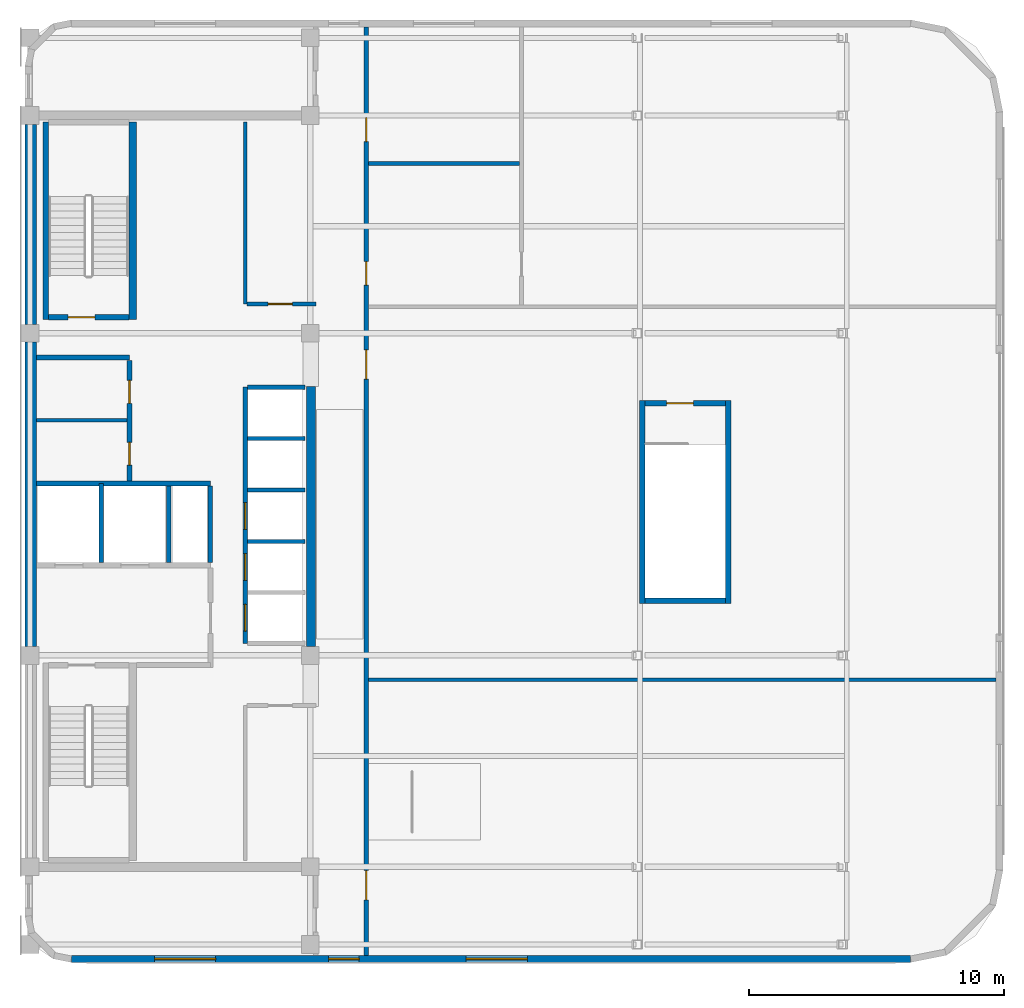
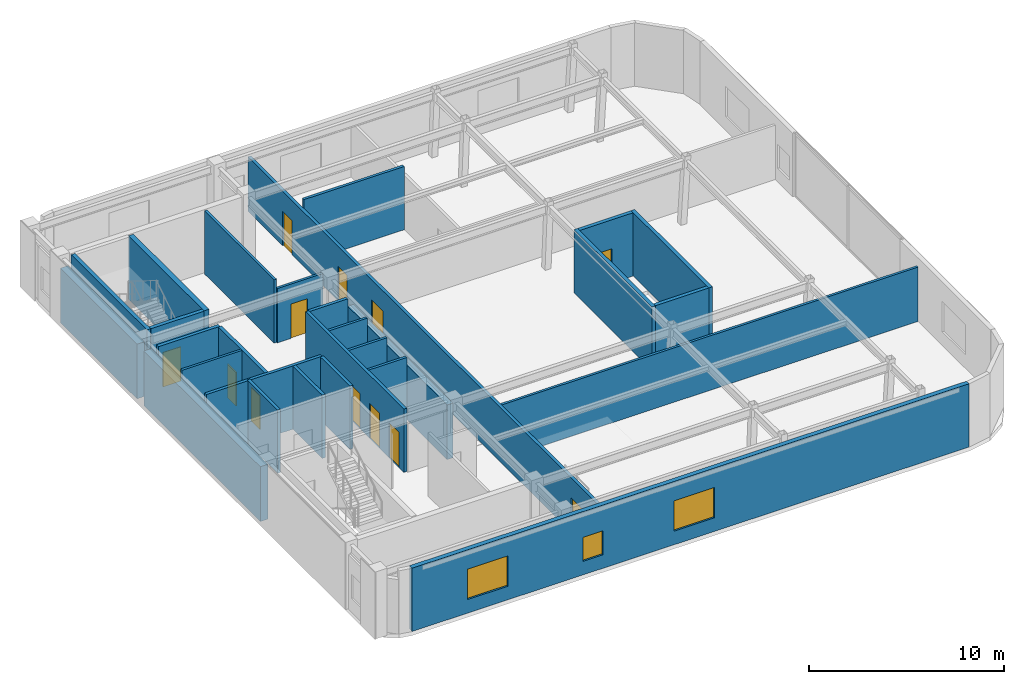
# One storey, part 4 of 8: 28 walls, 12 doors, 3 windows, 15 openings.
"""IFC4 building model written with IfcOpenShell, lengths in metres."""

from ifc_helpers import new_model, si_unit, direction, frame, frame_2d, origin, place, context, subcontext, project, spatial, rectangle, extrude, material, layer, layer_set, type_object, element, fill, save


model = new_model("IFC4")

# Units and contexts
model_context = context("Model", 3, precision=1e-05, world=origin(), true_north=direction((0.0, 1.0)))
body_context = subcontext(model_context, "Body", "Model", "MODEL_VIEW")
ifc_project = project(units=[si_unit("LENGTHUNIT", "METRE"), si_unit("AREAUNIT", "SQUARE_METRE"), si_unit("VOLUMEUNIT", "CUBIC_METRE"), si_unit("PLANEANGLEUNIT", "RADIAN"), si_unit("MASSUNIT", "GRAM", prefix="KILO")], contexts=[model_context])

# Site, building, storey
site_placement = place(None, origin())
site = spatial("IfcSite", under=ifc_project, at=site_placement, CompositionType="ELEMENT")
building_placement = place(site_placement, origin())
building = spatial("IfcBuilding", under=site, at=building_placement, Name="Ochreholt Gables", CompositionType="ELEMENT")
storey_placement = place(building_placement, frame((0.0, 0.0, 231.0)))
storey = spatial("IfcBuildingStorey", under=building, at=storey_placement, Name="L60", CompositionType="ELEMENT", Elevation=231.0)

# Walls
ifc_material_1 = material(Name="Concrete 50 MPa", Category="concrete")
ifc_layer_1 = layer(ifc_material_1, 0.35009765625, Name="Concrete 50 MPa")
ifc_layer_set_1 = layer_set([ifc_layer_1], Name="Concrete 50 MPa")
wall_type_1 = type_object("IfcWallType", Name="WALL-CSW-350", PredefinedType="SHEAR", material=ifc_layer_set_1)
wall_1_placement = place(storey_placement, frame((35.22509765625, 17.89990234375, 0.0), z_axis=(0.0, 0.0, 1.0), x_axis=(0.0, 1.0, 0.0)))
element("IfcWall", 1, at=wall_1_placement, inside=storey, type_object=wall_type_1, Name="L60 Core Central-East Shear Wall", PredefinedType="SHEAR", context=body_context, shape_type="SweptSolid", body=[
    extrude(rectangle(XDim=10.2001953125, YDim=0.35009765625, at=frame_2d((5.10009765625, 0.0))), origin(), (0.0, 0.0, 1.0), 3.4208984375),
])
ifc_layer_2 = layer(ifc_material_1, 0.449951171875, Name="Concrete 50 MPa")
ifc_layer_set_2 = layer_set([ifc_layer_2], Name="Concrete 50 MPa")
wall_type_2 = type_object("IfcWallType", Name="WALL-CSW-EXT", PredefinedType="SHEAR", material=ifc_layer_set_2)
wall_2_placement = place(storey_placement, frame((24.22509765625, 17.89990234375, 0.0), z_axis=(0.0, 0.0, 1.0), x_axis=(0.0, 1.0, 0.0)))
element("IfcWall", 2, at=wall_2_placement, inside=storey, type_object=wall_type_2, Name="L60 Core West Shear Wall WM", PredefinedType="SHEAR", context=body_context, shape_type="SweptSolid", body=[
    extrude(rectangle(XDim=11.9501953125, YDim=0.449951171875, at=frame_2d((5.97509765625, 0.0))), origin(), (0.0, 0.0, 1.0), 3.4208984375),
])
wall_3_placement = place(storey_placement, frame((24.22509765625, 30.550048828125, 0.0), z_axis=(0.0, 0.0, 1.0), x_axis=(0.0, 1.0, 0.0)))
element("IfcWall", 3, at=wall_3_placement, inside=storey, type_object=wall_type_2, Name="L60 Core West Shear Wall WN", PredefinedType="SHEAR", context=body_context, shape_type="SweptSolid", body=[
    extrude(rectangle(XDim=7.849853515625, YDim=0.449951171875, at=frame_2d((3.9248046875, 0.0))), origin(), (0.0, 0.0, 1.0), 3.4208984375),
])

# Wall, openings, windows
ifc_material_2 = material(Name="Precast concrete 40 MPa", Category="concrete")
ifc_layer_3 = layer(ifc_material_2, 0.27001953125, Name="Precast concrete 40 MPa")
ifc_layer_set_3 = layer_set([ifc_layer_3], Name="Precast concrete 40 MPa")
wall_type_3 = type_object("IfcWallType", Name="WALL-EXT-270", PredefinedType="SOLIDWALL", material=ifc_layer_set_3)
wall_4_placement = place(storey_placement, frame((25.820068359375, 5.635009765625, 0.0), z_axis=(0.0, 0.0, 1.0), x_axis=(1.0, 0.0, 0.0)))
wall_4 = element("IfcWall", 4, at=wall_4_placement, inside=storey, type_object=wall_type_3, Name="L60 South Exterior Wall", PredefinedType="SOLIDWALL", context=body_context, shape_type="SweptSolid", body=[
    extrude(rectangle(XDim=32.9599609375, YDim=0.27001953125, at=frame_2d((16.47998046875, 0.0))), origin(), (0.0, 0.0, 1.0), 3.9599609375),
])
opening_1_placement = place(wall_4_placement, frame((3.27001953125, 0.0, 0.85009765625)))
opening_1 = element("IfcOpeningElement", 5, at=opening_1_placement, cuts=wall_4, Name="Opening WN-5", PredefinedType="OPENING", context=body_context, shape_type="SweptSolid", body=[
    extrude(rectangle(XDim=2.39990234375, YDim=1.89990234375, at=frame_2d((1.199951171875, 0.949951171875))), frame((0.0, 0.14501953125, 0.0), z_axis=(0.0, -1.0, 0.0), x_axis=(1.0, 0.0, 0.0)), (0.0, 0.0, 1.0), 0.2900390625),
])
opening_2_placement = place(wall_4_placement, frame((10.10009765625, 0.0, 0.85009765625)))
opening_2 = element("IfcOpeningElement", 6, at=opening_2_placement, cuts=wall_4, Name="Opening WN-3", PredefinedType="OPENING", context=body_context, shape_type="SweptSolid", body=[
    extrude(rectangle(XDim=1.199951171875, YDim=1.5, at=frame_2d((0.60009765625, 0.75))), frame((0.0, 0.14501953125, 0.0), z_axis=(0.0, -1.0, 0.0), x_axis=(1.0, 0.0, 0.0)), (0.0, 0.0, 1.0), 0.2900390625),
])
opening_3_placement = place(wall_4_placement, frame((15.507080078125, 0.0, 0.85009765625)))
opening_3 = element("IfcOpeningElement", 7, at=opening_3_placement, cuts=wall_4, Name="Opening WN-5", PredefinedType="OPENING", context=body_context, shape_type="SweptSolid", body=[
    extrude(rectangle(XDim=2.39990234375, YDim=1.89990234375, at=frame_2d((1.199951171875, 0.949951171875))), frame((0.0, 0.14501953125, 0.0), z_axis=(0.0, -1.0, 0.0), x_axis=(1.0, 0.0, 0.0)), (0.0, 0.0, 1.0), 0.2900390625),
])
ifc_material_3 = material(Name="Triple-Glazed Thermally Broken Aluminium Window", Category="aluminium")
window_type_1 = type_object("IfcWindowType", Name="WIN-COM-2400", PartitioningType="SINGLE_PANEL", PredefinedType="WINDOW", material=ifc_material_3)
window_1_placement = place(opening_1_placement, origin())
window_1 = element("IfcWindow", 8, at=window_1_placement, inside=storey, type_object=window_type_1, Name="L60 Window W-EXT-S-L60-1", OverallHeight=1.89990234375, OverallWidth=2.39990234375, PartitioningType="SINGLE_PANEL", PredefinedType="WINDOW", context=body_context, shape_type="SweptSolid", body=[
    extrude(rectangle(XDim=2.39990234375, YDim=1.89990234375, at=frame_2d((1.199951171875, 0.949951171875))), frame((0.0, 0.030029296875, 0.0), z_axis=(0.0, -1.0, 0.0), x_axis=(1.0, 0.0, 0.0)), (0.0, 0.0, 1.0), 0.06005859375),
])
fill(opening_1, window_1)
window_2_placement = place(opening_3_placement, origin())
window_2 = element("IfcWindow", 9, at=window_2_placement, inside=storey, type_object=window_type_1, Name="L60 Window W-EXT-S-L60-3", OverallHeight=1.89990234375, OverallWidth=2.39990234375, PartitioningType="SINGLE_PANEL", PredefinedType="WINDOW", context=body_context, shape_type="SweptSolid", body=[
    extrude(rectangle(XDim=2.39990234375, YDim=1.89990234375, at=frame_2d((1.199951171875, 0.949951171875))), frame((0.0, 0.030029296875, 0.0), z_axis=(0.0, -1.0, 0.0), x_axis=(1.0, 0.0, 0.0)), (0.0, 0.0, 1.0), 0.06005859375),
])
fill(opening_3, window_2)
window_type_2 = type_object("IfcWindowType", Name="WIN-RES-1200", PartitioningType="SINGLE_PANEL", PredefinedType="WINDOW", material=ifc_material_3)
window_3_placement = place(opening_2_placement, origin())
window_3 = element("IfcWindow", 10, at=window_3_placement, inside=storey, type_object=window_type_2, Name="L60 Window W-EXT-S-L60-2", OverallHeight=1.5, OverallWidth=1.199951171875, PartitioningType="SINGLE_PANEL", PredefinedType="WINDOW", context=body_context, shape_type="SweptSolid", body=[
    extrude(rectangle(XDim=1.199951171875, YDim=1.5, at=frame_2d((0.60009765625, 0.75))), frame((0.0, 0.030029296875, 0.0), z_axis=(0.0, -1.0, 0.0), x_axis=(1.0, 0.0, 0.0)), (0.0, 0.0, 1.0), 0.06005859375),
])
fill(opening_2, window_3)

# Wall
ifc_material_4 = material(Name="Concrete 40 MPa", Category="concrete")
ifc_layer_4 = layer(ifc_material_4, 0.199951171875, Name="Concrete 40 MPa")
ifc_layer_set_4 = layer_set([ifc_layer_4], Name="Concrete 40 MPa")
wall_type_4 = type_object("IfcWallType", Name="WALL-INT-CF200", PredefinedType="STANDARD", material=ifc_layer_set_4)
wall_5_placement = place(storey_placement, frame((24.449951171875, 29.239990234375, 0.0), z_axis=(0.0, 0.0, 1.0), x_axis=(1.0, 0.0, 0.0)))
element("IfcWall", 11, at=wall_5_placement, inside=storey, type_object=wall_type_4, Name="L60 Interior Wall WI-SRVN-L60", PredefinedType="STANDARD", context=body_context, shape_type="SweptSolid", body=[
    extrude(rectangle(XDim=3.650146484375, YDim=0.199951171875, at=frame_2d((1.8251953125, 0.0))), origin(), (0.0, 0.0, 1.0), 3.9599609375),
])

# Wall, openings, doors
wall_6_placement = place(storey_placement, frame((28.10009765625, 24.389892578125, 0.0), z_axis=(0.0, 0.0, 1.0), x_axis=(0.0, 1.0, 0.0)))
wall_6 = element("IfcWall", 12, at=wall_6_placement, inside=storey, type_object=wall_type_4, Name="L60 Interior Wall WI-SRVE-L60", PredefinedType="STANDARD", context=body_context, shape_type="SweptSolid", body=[
    extrude(rectangle(XDim=4.75, YDim=0.199951171875, at=frame_2d((2.375, 0.0))), origin(), (0.0, 0.0, 1.0), 3.9599609375),
])
opening_4_placement = place(wall_6_placement, frame((0.6298828125, 0.0, 0.0)))
opening_4 = element("IfcOpeningElement", 13, at=opening_4_placement, cuts=wall_6, Name="Opening D-SV1", PredefinedType="OPENING", context=body_context, shape_type="SweptSolid", body=[
    extrude(rectangle(XDim=0.89990234375, YDim=2.10009765625, at=frame_2d((0.449951171875, 1.050048828125))), frame((0.0, 0.10986328125, 0.0), z_axis=(0.0, -1.0, 0.0), x_axis=(1.0, 0.0, 0.0)), (0.0, 0.0, 1.0), 0.219970703125),
])
opening_5_placement = place(wall_6_placement, frame((3.06005859375, 0.0, 0.0)))
opening_5 = element("IfcOpeningElement", 14, at=opening_5_placement, cuts=wall_6, Name="Opening D-SV1", PredefinedType="OPENING", context=body_context, shape_type="SweptSolid", body=[
    extrude(rectangle(XDim=0.89990234375, YDim=2.10009765625, at=frame_2d((0.449951171875, 1.050048828125))), frame((0.0, 0.10986328125, 0.0), z_axis=(0.0, -1.0, 0.0), x_axis=(1.0, 0.0, 0.0)), (0.0, 0.0, 1.0), 0.219970703125),
])
ifc_material_5 = material(Name="Hollow Metal Steel", Category="steel")
door_type_1 = type_object("IfcDoorType", Name="DR-INT-SRV900", OperationType="NOTDEFINED", PredefinedType="DOOR", material=ifc_material_5)
door_1_placement = place(opening_4_placement, origin())
door_1 = element("IfcDoor", 15, at=door_1_placement, inside=storey, type_object=door_type_1, Name="L60 Door D-SRV1-L60", OperationType="SINGLE_SWING_LEFT", OverallHeight=2.10009765625, OverallWidth=0.89990234375, PredefinedType="DOOR", context=body_context, shape_type="SweptSolid", body=[
    extrude(rectangle(XDim=0.89990234375, YDim=2.10009765625, at=frame_2d((0.449951171875, 1.050048828125))), frame((0.0, 0.02490234375, 0.0), z_axis=(0.0, -1.0, 0.0), x_axis=(1.0, 0.0, 0.0)), (0.0, 0.0, 1.0), 0.050048828125),
])
fill(opening_4, door_1)
door_2_placement = place(opening_5_placement, origin())
door_2 = element("IfcDoor", 16, at=door_2_placement, inside=storey, type_object=door_type_1, Name="L60 Door D-SRV2-L60", OperationType="SINGLE_SWING_RIGHT", OverallHeight=2.10009765625, OverallWidth=0.89990234375, PredefinedType="DOOR", context=body_context, shape_type="SweptSolid", body=[
    extrude(rectangle(XDim=0.89990234375, YDim=2.10009765625, at=frame_2d((0.449951171875, 1.050048828125))), frame((0.0, 0.02490234375, 0.0), z_axis=(0.0, -1.0, 0.0), x_axis=(1.0, 0.0, 0.0)), (0.0, 0.0, 1.0), 0.050048828125),
])
fill(opening_5, door_2)

ifc_material_6 = material(Name="Fire-Rated Gypsum Acoustic Partition", Category="gypsum")
ifc_layer_5 = layer(ifc_material_6, 0.179931640625, Name="Fire-Rated Gypsum Acoustic Partition")
ifc_layer_set_5 = layer_set([ifc_layer_5], Name="Fire-Rated Gypsum Acoustic Partition")
wall_type_5 = type_object("IfcWallType", Name="WALL-INT-CR180", PredefinedType="STANDARD", material=ifc_layer_set_5)
wall_7_placement = place(storey_placement, frame((37.39990234375, 5.77001953125, 0.0), z_axis=(0.0, 0.0, 1.0), x_axis=(0.0, 1.0, 0.0)))
wall_7 = element("IfcWall", 17, at=wall_7_placement, inside=storey, type_object=wall_type_5, Name="L60 Interior Wall WI-CMCE-L60", PredefinedType="STANDARD", context=body_context, shape_type="SweptSolid", body=[
    extrude(rectangle(XDim=36.4599609375, YDim=0.179931640625, at=frame_2d((18.22998046875, 0.0))), origin(), (0.0, 0.0, 1.0), 3.403076171875),
])
opening_6_placement = place(wall_7_placement, frame((26.320068359375, 0.0, 0.0)))
opening_6 = element("IfcOpeningElement", 18, at=opening_6_placement, cuts=wall_7, Name="Opening D-WC1", PredefinedType="OPENING", context=body_context, shape_type="SweptSolid", body=[
    extrude(rectangle(XDim=0.919921875, YDim=2.139892578125, at=frame_2d((0.4599609375, 1.06982421875))), frame((0.0, 0.099853515625, 0.0), z_axis=(0.0, -1.0, 0.0), x_axis=(1.0, 0.0, 0.0)), (0.0, 0.0, 1.0), 0.199951171875),
])
opening_7_placement = place(wall_7_placement, frame((31.949951171875, 0.0, 0.0)))
opening_7 = element("IfcOpeningElement", 19, at=opening_7_placement, cuts=wall_7, Name="Opening D-WC2", PredefinedType="OPENING", context=body_context, shape_type="SweptSolid", body=[
    extrude(rectangle(XDim=0.949951171875, YDim=2.139892578125, at=frame_2d((0.47509765625, 1.06982421875))), frame((0.0, 0.099853515625, 0.0), z_axis=(0.0, -1.0, 0.0), x_axis=(1.0, 0.0, 0.0)), (0.0, 0.0, 1.0), 0.199951171875),
])
opening_8_placement = place(wall_7_placement, frame((2.179931640625, 0.0, 0.0)))
opening_8 = element("IfcOpeningElement", 20, at=opening_8_placement, cuts=wall_7, Name="Opening D-CM1", PredefinedType="OPENING", context=body_context, shape_type="SweptSolid", body=[
    extrude(rectangle(XDim=1.14990234375, YDim=2.14990234375, at=frame_2d((0.574951171875, 1.074951171875))), frame((0.0, 0.099853515625, 0.0), z_axis=(0.0, -1.0, 0.0), x_axis=(1.0, 0.0, 0.0)), (0.0, 0.0, 1.0), 0.199951171875),
])
opening_9_placement = place(wall_7_placement, frame((22.6298828125, 0.0, 0.0)))
opening_9 = element("IfcOpeningElement", 21, at=opening_9_placement, cuts=wall_7, Name="Opening D-CM1", PredefinedType="OPENING", context=body_context, shape_type="SweptSolid", body=[
    extrude(rectangle(XDim=1.14990234375, YDim=2.14990234375, at=frame_2d((0.574951171875, 1.074951171875))), frame((0.0, 0.099853515625, 0.0), z_axis=(0.0, -1.0, 0.0), x_axis=(1.0, 0.0, 0.0)), (0.0, 0.0, 1.0), 0.199951171875),
])
ifc_material_7 = material(Name="Engineered Oak Timber", Category="wood")
door_type_2 = type_object("IfcDoorType", Name="DR-INT-COM1150", OperationType="NOTDEFINED", PredefinedType="DOOR", material=ifc_material_7)
door_3_placement = place(opening_8_placement, origin())
door_3 = element("IfcDoor", 22, at=door_3_placement, inside=storey, type_object=door_type_2, Name="L60 Door D-CMS-L60", OperationType="SINGLE_SWING_LEFT", OverallHeight=2.14990234375, OverallWidth=1.14990234375, PredefinedType="DOOR", context=body_context, shape_type="SweptSolid", body=[
    extrude(rectangle(XDim=1.14990234375, YDim=2.14990234375, at=frame_2d((0.574951171875, 1.074951171875))), frame((0.0, 0.02490234375, 0.0), z_axis=(0.0, -1.0, 0.0), x_axis=(1.0, 0.0, 0.0)), (0.0, 0.0, 1.0), 0.050048828125),
])
fill(opening_8, door_3)
door_4_placement = place(opening_9_placement, origin())
door_4 = element("IfcDoor", 23, at=door_4_placement, inside=storey, type_object=door_type_2, Name="L60 Door D-CMM-L60", OperationType="SINGLE_SWING_RIGHT", OverallHeight=2.14990234375, OverallWidth=1.14990234375, PredefinedType="DOOR", context=body_context, shape_type="SweptSolid", body=[
    extrude(rectangle(XDim=1.14990234375, YDim=2.14990234375, at=frame_2d((0.574951171875, 1.074951171875))), frame((0.0, 0.02490234375, 0.0), z_axis=(0.0, -1.0, 0.0), x_axis=(1.0, 0.0, 0.0)), (0.0, 0.0, 1.0), 0.050048828125),
])
fill(opening_9, door_4)
door_type_3 = type_object("IfcDoorType", Name="DR-INT-WC920", OperationType="NOTDEFINED", PredefinedType="DOOR", material=ifc_material_7)
door_5_placement = place(opening_6_placement, origin())
door_5 = element("IfcDoor", 24, at=door_5_placement, inside=storey, type_object=door_type_3, Name="L60 Door D-CMWC1-L60", OperationType="SINGLE_SWING_LEFT", OverallHeight=2.139892578125, OverallWidth=0.919921875, PredefinedType="DOOR", context=body_context, shape_type="SweptSolid", body=[
    extrude(rectangle(XDim=0.919921875, YDim=2.139892578125, at=frame_2d((0.4599609375, 1.06982421875))), frame((0.0, 0.02490234375, 0.0), z_axis=(0.0, -1.0, 0.0), x_axis=(1.0, 0.0, 0.0)), (0.0, 0.0, 1.0), 0.050048828125),
])
fill(opening_6, door_5)
door_type_4 = type_object("IfcDoorType", Name="DR-INT-WC950", OperationType="NOTDEFINED", PredefinedType="DOOR", material=ifc_material_7)
door_6_placement = place(opening_7_placement, origin())
door_6 = element("IfcDoor", 25, at=door_6_placement, inside=storey, type_object=door_type_4, Name="L60 Door D-CMWC2-L60", OperationType="SINGLE_SWING_RIGHT", OverallHeight=2.139892578125, OverallWidth=0.949951171875, PredefinedType="DOOR", context=body_context, shape_type="SweptSolid", body=[
    extrude(rectangle(XDim=0.949951171875, YDim=2.139892578125, at=frame_2d((0.47509765625, 1.06982421875))), frame((0.0, 0.02490234375, 0.0), z_axis=(0.0, -1.0, 0.0), x_axis=(1.0, 0.0, 0.0)), (0.0, 0.0, 1.0), 0.050048828125),
])
fill(opening_7, door_6)

# Walls
ifc_material_8 = material(Name="Moisture-Resistant Plumbing Chase Wall", Category="gypsum")
ifc_layer_6 = layer(ifc_material_8, 0.159912109375, Name="Moisture-Resistant Plumbing Chase Wall")
ifc_layer_set_6 = layer_set([ifc_layer_6], Name="Moisture-Resistant Plumbing Chase Wall")
wall_type_6 = type_object("IfcWallType", Name="WALL-INT-PL160", PredefinedType="PLUMBINGWALL", material=ifc_layer_set_6)
wall_8_placement = place(storey_placement, frame((37.489990234375, 36.8701171875, 0.0), z_axis=(0.0, 0.0, 1.0), x_axis=(1.0, 0.0, 0.0)))
element("IfcWall", 26, at=wall_8_placement, inside=storey, type_object=wall_type_6, Name="L60 Interior Wall WI-CMWCD-L60", PredefinedType="PLUMBINGWALL", context=body_context, shape_type="SweptSolid", body=[
    extrude(rectangle(XDim=5.929931640625, YDim=0.159912109375, at=frame_2d((2.96484375, 0.0))), origin(), (0.0, 0.0, 1.0), 3.9599609375),
])
ifc_material_9 = material(Name="Lightweight Stud Partition", Category="gypsum")
ifc_layer_7 = layer(ifc_material_9, 0.14501953125, Name="Lightweight Stud Partition")
ifc_layer_set_7 = layer_set([ifc_layer_7], Name="Lightweight Stud Partition")
wall_type_7 = type_object("IfcWallType", Name="WALL-INT-PT145", PredefinedType="PARTITIONING", material=ifc_layer_set_7)
wall_9_placement = place(storey_placement, frame((24.449951171875, 26.780029296875, 0.0), z_axis=(0.0, 0.0, 1.0), x_axis=(1.0, 0.0, 0.0)))
element("IfcWall", 27, at=wall_9_placement, inside=storey, type_object=wall_type_7, Name="L60 Interior Wall WI-SRVP1-L60", PredefinedType="PARTITIONING", context=body_context, shape_type="SweptSolid", body=[
    extrude(rectangle(XDim=3.550048828125, YDim=0.14501953125, at=frame_2d((1.77490234375, 0.0))), origin(), (0.0, 0.0, 1.0), 3.9599609375),
])
wall_10_placement = place(storey_placement, frame((37.489990234375, 16.60009765625, 0.0), z_axis=(0.0, 0.0, 1.0), x_axis=(1.0, 0.0, 0.0)))
element("IfcWall", 28, at=wall_10_placement, inside=storey, type_object=wall_type_7, Name="L60 Interior Wall WI-CME1-L60", PredefinedType="PARTITIONING", context=body_context, shape_type="SweptSolid", body=[
    extrude(rectangle(XDim=24.639892578125, YDim=0.14501953125, at=frame_2d((12.31982421875, 0.0))), origin(), (0.0, 0.0, 1.0), 3.403076171875),
])
wall_11_placement = place(storey_placement, frame((32.64990234375, 31.35009765625, 0.0), z_axis=(0.0, 0.0, 1.0), x_axis=(0.0, 1.0, 0.0)))
element("IfcWall", 29, at=wall_11_placement, inside=storey, type_object=wall_type_7, Name="L60 Interior Wall WI-CMRCMW-L60", PredefinedType="PARTITIONING", context=body_context, shape_type="SweptSolid", body=[
    extrude(rectangle(XDim=7.14990234375, YDim=0.14501953125, at=frame_2d((3.574951171875, 0.0))), origin(), (0.0, 0.0, 1.0), 3.9599609375),
])

# Wall, opening, door
wall_12_placement = place(storey_placement, frame((32.722412109375, 31.35009765625, 0.0), z_axis=(0.0, 0.0, 1.0), x_axis=(1.0, 0.0, 0.0)))
wall_12 = element("IfcWall", 30, at=wall_12_placement, inside=storey, type_object=wall_type_7, Name="L60 Interior Wall WI-CMMRS-L60", PredefinedType="PARTITIONING", context=body_context, shape_type="SweptSolid", body=[
    extrude(rectangle(XDim=2.697509765625, YDim=0.14501953125, at=frame_2d((1.3486328125, 0.0))), origin(), (0.0, 0.0, 1.0), 3.403076171875),
])
opening_10_placement = place(wall_12_placement, frame((0.827392578125, 0.0, 0.0)))
opening_10 = element("IfcOpeningElement", 31, at=opening_10_placement, cuts=wall_12, Name="Opening D-GN1", PredefinedType="OPENING", context=body_context, shape_type="SweptSolid", body=[
    extrude(rectangle(XDim=0.949951171875, YDim=2.14990234375, at=frame_2d((0.47509765625, 1.074951171875))), frame((0.0, 0.08251953125, 0.0), z_axis=(0.0, -1.0, 0.0), x_axis=(1.0, 0.0, 0.0)), (0.0, 0.0, 1.0), 0.1650390625),
])
door_type_5 = type_object("IfcDoorType", Name="DR-INT-GEN950", OperationType="NOTDEFINED", PredefinedType="DOOR", material=ifc_material_7)
door_7_placement = place(opening_10_placement, origin())
door_7 = element("IfcDoor", 32, at=door_7_placement, inside=storey, type_object=door_type_5, Name="L60 Door D-CMMRS-L60", OperationType="SINGLE_SWING_LEFT", OverallHeight=2.14990234375, OverallWidth=0.949951171875, PredefinedType="DOOR", context=body_context, shape_type="SweptSolid", body=[
    extrude(rectangle(XDim=0.949951171875, YDim=2.14990234375, at=frame_2d((0.47509765625, 1.074951171875))), frame((0.0, 0.02490234375, 0.0), z_axis=(0.0, -1.0, 0.0), x_axis=(1.0, 0.0, 0.0)), (0.0, 0.0, 1.0), 0.050048828125),
])
fill(opening_10, door_7)

# Walls
ifc_material_10 = material(Name="Gypsum Shaftliner and Steel Stud", Category="steel")
ifc_layer_8 = layer(ifc_material_10, 0.14990234375, Name="Gypsum Shaftliner and Steel Stud")
ifc_layer_set_8 = layer_set([ifc_layer_8], Name="Gypsum Shaftliner and Steel Stud")
wall_type_8 = type_object("IfcWallType", Name="WALL-INT-SH150", PredefinedType="STANDARD", material=ifc_layer_set_8)
for number, where, z_axis, x_axis, name in (
    (33, (32.739990234375, 22.02001953125, 0.0), (0.0, 0.0, 1.0), (1.0, 0.0, 0.0), "L60 Interior Wall WI-LFHE-DH2-L60"),
    (34, (32.739990234375, 24.050048828125, 0.0), (0.0, 0.0, 1.0), (1.0, 0.0, 0.0), "L60 Interior Wall WI-LFHE-DHE-L60"),
    (35, (32.739990234375, 26.070068359375, 0.0), (0.0, 0.0, 1.0), (1.0, 0.0, 0.0), "L60 Interior Wall WI-LFHE-DEX1-L60"),
):
    element("IfcWall", number, at=place(storey_placement, frame(where, z_axis=z_axis, x_axis=x_axis)), inside=storey, type_object=wall_type_8, Name=name, PredefinedType="STANDARD", context=body_context, shape_type="SweptSolid", body=[
        extrude(rectangle(XDim=2.260009765625, YDim=0.14990234375, at=frame_2d((1.1298828125, 0.0))), origin(), (0.0, 0.0, 1.0), 3.9599609375),
    ])
ifc_layer_9 = layer(ifc_material_10, 0.179931640625, Name="Gypsum Shaftliner and Steel Stud")
ifc_layer_set_9 = layer_set([ifc_layer_9], Name="Gypsum Shaftliner and Steel Stud")
wall_type_9 = type_object("IfcWallType", Name="WALL-INT-SH180", PredefinedType="STANDARD", material=ifc_layer_set_9)
wall_13_placement = place(storey_placement, frame((27.0, 21.18994140625, 0.0), z_axis=(0.0, 0.0, 1.0), x_axis=(0.0, 1.0, 0.0)))
element("IfcWall", 36, at=wall_13_placement, inside=storey, type_object=wall_type_9, Name="L60 Interior Wall WI-FFDIV-L60", PredefinedType="STANDARD", context=body_context, shape_type="SweptSolid", body=[
    extrude(rectangle(XDim=3.110107421875, YDim=0.179931640625, at=frame_2d((1.55517578125, 0.0))), origin(), (0.0, 0.0, 1.0), 3.9599609375),
])
wall_14_placement = place(storey_placement, frame((24.449951171875, 24.300048828125, 0.0), z_axis=(0.0, 0.0, 1.0), x_axis=(1.0, 0.0, 0.0)))
element("IfcWall", 37, at=wall_14_placement, inside=storey, type_object=wall_type_9, Name="L60 Interior Wall WI-FFBK-L60", PredefinedType="STANDARD", context=body_context, shape_type="SweptSolid", body=[
    extrude(rectangle(XDim=6.830078125, YDim=0.179931640625, at=frame_2d((3.4150390625, 0.0))), origin(), (0.0, 0.0, 1.0), 3.9599609375),
])
for number, where, z_axis, x_axis, name in (
    (38, (29.64990234375, 21.18994140625, 0.0), (0.0, 0.0, 1.0), (0.0, 1.0, 0.0), "L60 Interior Wall WI-FFSH-L60"),
    (39, (31.280029296875, 21.18994140625, 0.0), (0.0, 0.0, 1.0), (0.0, 1.0, 0.0), "L60 Interior Wall WI-RSE-L60"),
):
    element("IfcWall", number, at=place(storey_placement, frame(where, z_axis=z_axis, x_axis=x_axis)), inside=storey, type_object=wall_type_9, Name=name, PredefinedType="STANDARD", context=body_context, shape_type="SweptSolid", body=[
        extrude(rectangle(XDim=3.02001953125, YDim=0.179931640625, at=frame_2d((1.510009765625, 0.0))), origin(), (0.0, 0.0, 1.0), 3.9599609375),
    ])

# Wall, openings, doors
wall_15_placement = place(storey_placement, frame((32.64990234375, 18.02001953125, 0.0), z_axis=(0.0, 0.0, 1.0), x_axis=(0.0, 1.0, 0.0)))
wall_15 = element("IfcWall", 40, at=wall_15_placement, inside=storey, type_object=wall_type_9, Name="L60 Interior Wall WI-LFHE-FR-L60", PredefinedType="STANDARD", context=body_context, shape_type="SweptSolid", body=[
    extrude(rectangle(XDim=10.06005859375, YDim=0.179931640625, at=frame_2d((5.030029296875, 0.0))), origin(), (0.0, 0.0, 1.0), 3.9599609375),
])
opening_11_placement = place(wall_15_placement, frame((0.47998046875, 0.0, 0.0)))
opening_11 = element("IfcOpeningElement", 41, at=opening_11_placement, cuts=wall_15, Name="Opening LD-PX", PredefinedType="OPENING", context=body_context, shape_type="SweptSolid", body=[
    extrude(rectangle(XDim=1.050048828125, YDim=2.199951171875, at=frame_2d((0.52490234375, 1.10009765625))), frame((0.0, 0.099853515625, 0.0), z_axis=(0.0, -1.0, 0.0), x_axis=(1.0, 0.0, 0.0)), (0.0, 0.0, 1.0), 0.199951171875),
])
opening_12_placement = place(wall_15_placement, frame((2.47998046875, 0.0, 0.0)))
opening_12 = element("IfcOpeningElement", 42, at=opening_12_placement, cuts=wall_15, Name="Opening LD-PX", PredefinedType="OPENING", context=body_context, shape_type="SweptSolid", body=[
    extrude(rectangle(XDim=1.050048828125, YDim=2.199951171875, at=frame_2d((0.52490234375, 1.10009765625))), frame((0.0, 0.099853515625, 0.0), z_axis=(0.0, -1.0, 0.0), x_axis=(1.0, 0.0, 0.0)), (0.0, 0.0, 1.0), 0.199951171875),
])
opening_13_placement = place(wall_15_placement, frame((4.47998046875, 0.0, 0.0)))
opening_13 = element("IfcOpeningElement", 43, at=opening_13_placement, cuts=wall_15, Name="Opening LD-PX", PredefinedType="OPENING", context=body_context, shape_type="SweptSolid", body=[
    extrude(rectangle(XDim=1.050048828125, YDim=2.199951171875, at=frame_2d((0.52490234375, 1.10009765625))), frame((0.0, 0.099853515625, 0.0), z_axis=(0.0, -1.0, 0.0), x_axis=(1.0, 0.0, 0.0)), (0.0, 0.0, 1.0), 0.199951171875),
])
ifc_material_11 = material(Name="Stainless Steel", Category="steel")
door_type_6 = type_object("IfcDoorType", Name="DR-LFT-PX1050", OperationType="NOTDEFINED", PredefinedType="DOOR", material=ifc_material_11)
door_8_placement = place(opening_11_placement, origin())
door_8 = element("IfcDoor", 44, at=door_8_placement, inside=storey, type_object=door_type_6, Name="L60 Door LD-LF-H1-L60", OperationType="SLIDING_TO_LEFT", OverallHeight=2.199951171875, OverallWidth=1.050048828125, PredefinedType="DOOR", context=body_context, shape_type="SweptSolid", body=[
    extrude(rectangle(XDim=1.050048828125, YDim=2.199951171875, at=frame_2d((0.52490234375, 1.10009765625))), frame((0.0, 0.02490234375, 0.0), z_axis=(0.0, -1.0, 0.0), x_axis=(1.0, 0.0, 0.0)), (0.0, 0.0, 1.0), 0.050048828125),
])
fill(opening_11, door_8)
door_9_placement = place(opening_12_placement, origin())
door_9 = element("IfcDoor", 45, at=door_9_placement, inside=storey, type_object=door_type_6, Name="L60 Door LD-LF-H2-L60", OperationType="SLIDING_TO_LEFT", OverallHeight=2.199951171875, OverallWidth=1.050048828125, PredefinedType="DOOR", context=body_context, shape_type="SweptSolid", body=[
    extrude(rectangle(XDim=1.050048828125, YDim=2.199951171875, at=frame_2d((0.52490234375, 1.10009765625))), frame((0.0, 0.02490234375, 0.0), z_axis=(0.0, -1.0, 0.0), x_axis=(1.0, 0.0, 0.0)), (0.0, 0.0, 1.0), 0.050048828125),
])
fill(opening_12, door_9)
door_10_placement = place(opening_13_placement, origin())
door_10 = element("IfcDoor", 46, at=door_10_placement, inside=storey, type_object=door_type_6, Name="L60 Door LD-LF-H3-L60", OperationType="SLIDING_TO_LEFT", OverallHeight=2.199951171875, OverallWidth=1.050048828125, PredefinedType="DOOR", context=body_context, shape_type="SweptSolid", body=[
    extrude(rectangle(XDim=1.050048828125, YDim=2.199951171875, at=frame_2d((0.52490234375, 1.10009765625))), frame((0.0, 0.02490234375, 0.0), z_axis=(0.0, -1.0, 0.0), x_axis=(1.0, 0.0, 0.0)), (0.0, 0.0, 1.0), 0.050048828125),
])
fill(opening_13, door_10)

# Walls
wall_16_placement = place(storey_placement, frame((32.739990234375, 28.080078125, 0.0), z_axis=(0.0, 0.0, 1.0), x_axis=(1.0, 0.0, 0.0)))
element("IfcWall", 47, at=wall_16_placement, inside=storey, type_object=wall_type_9, Name="L60 Interior Wall WI-LFHE-N-L60", PredefinedType="STANDARD", context=body_context, shape_type="SweptSolid", body=[
    extrude(rectangle(XDim=2.260009765625, YDim=0.179931640625, at=frame_2d((1.1298828125, 0.0))), origin(), (0.0, 0.0, 1.0), 3.9599609375),
])
ifc_material_12 = material(Name="Concrete 60 MPa", Category="concrete")
ifc_layer_10 = layer(ifc_material_12, 0.300048828125, Name="Concrete 60 MPa")
ifc_layer_set_10 = layer_set([ifc_layer_10], Name="Concrete 60 MPa")
wall_type_10 = type_object("IfcWallType", Name="WALL-SPN-300", PredefinedType="SHEAR", material=ifc_layer_set_10)
wall_17_placement = place(storey_placement, frame((28.22998046875, 30.739990234375, 0.0), z_axis=(0.0, 0.0, 1.0), x_axis=(0.0, 1.0, 0.0)))
element("IfcWall", 48, at=wall_17_placement, inside=storey, type_object=wall_type_10, Name="L60 Core North Spine Shear Wall", PredefinedType="SHEAR", context=body_context, shape_type="SweptSolid", body=[
    extrude(rectangle(XDim=7.760009765625, YDim=0.300048828125, at=frame_2d((3.8798828125, 0.0))), origin(), (0.0, 0.0, 1.0), 3.9599609375),
])
ifc_layer_11 = layer(ifc_material_1, 0.219970703125, Name="Concrete 50 MPa")
ifc_layer_set_11 = layer_set([ifc_layer_11], Name="Concrete 50 MPa")
wall_type_11 = type_object("IfcWallType", Name="WALL-STW-220", PredefinedType="SHEAR", material=ifc_layer_set_11)
wall_18_placement = place(storey_placement, frame((24.81005859375, 30.739990234375, 0.0), z_axis=(0.0, 0.0, 1.0), x_axis=(0.0, 1.0, 0.0)))
element("IfcWall", 49, at=wall_18_placement, inside=storey, type_object=wall_type_11, Name="L60 Exit Stair 2 West Wall", PredefinedType="SHEAR", context=body_context, shape_type="SweptSolid", body=[
    extrude(rectangle(XDim=7.760009765625, YDim=0.219970703125, at=frame_2d((3.8798828125, 0.0))), origin(), (0.0, 0.0, 1.0), 3.9599609375),
])

# Wall, opening, door
wall_19_placement = place(storey_placement, frame((24.919921875, 30.830078125, 0.0), z_axis=(0.0, 0.0, 1.0), x_axis=(1.0, 0.0, 0.0)))
wall_19 = element("IfcWall", 50, at=wall_19_placement, inside=storey, type_object=wall_type_11, Name="L60 Exit Stair 2 South Wall", PredefinedType="SHEAR", context=body_context, shape_type="SweptSolid", body=[
    extrude(rectangle(XDim=3.16015625, YDim=0.219970703125, at=frame_2d((1.580078125, 0.0))), origin(), (0.0, 0.0, 1.0), 3.9599609375),
])
opening_14_placement = place(wall_19_placement, frame((0.780029296875, 0.0, 0.0)))
opening_14 = element("IfcOpeningElement", 51, at=opening_14_placement, cuts=wall_19, Name="Opening D-STC", PredefinedType="OPENING", context=body_context, shape_type="SweptSolid", body=[
    extrude(rectangle(XDim=1.050048828125, YDim=2.14990234375, at=frame_2d((0.52490234375, 1.074951171875))), frame((0.0, 0.119873046875, 0.0), z_axis=(0.0, -1.0, 0.0), x_axis=(1.0, 0.0, 0.0)), (0.0, 0.0, 1.0), 0.239990234375),
])
door_type_7 = type_object("IfcDoorType", Name="DR-INT-ST1050", OperationType="NOTDEFINED", PredefinedType="DOOR", material=ifc_material_5)
door_11_placement = place(opening_14_placement, origin())
door_11 = element("IfcDoor", 52, at=door_11_placement, inside=storey, type_object=door_type_7, Name="L60 Door D-ST2-L60", OperationType="SINGLE_SWING_RIGHT", OverallHeight=2.14990234375, OverallWidth=1.050048828125, PredefinedType="DOOR", context=body_context, shape_type="SweptSolid", body=[
    extrude(rectangle(XDim=1.050048828125, YDim=2.14990234375, at=frame_2d((0.52490234375, 1.074951171875))), frame((0.0, 0.02490234375, 0.0), z_axis=(0.0, -1.0, 0.0), x_axis=(1.0, 0.0, 0.0)), (0.0, 0.0, 1.0), 0.050048828125),
])
fill(opening_14, door_11)

# Walls
for number, where, z_axis, x_axis, name in (
    (53, (48.239990234375, 19.580078125, 0.0), (0.0, 0.0, 1.0), (0.0, 1.0, 0.0), "L60 Feature Stair ST-C6 West Wall"),
    (54, (51.6201171875, 19.580078125, 0.0), (0.0, 0.0, 1.0), (0.0, 1.0, 0.0), "L60 Feature Stair ST-C6 East Wall"),
):
    element("IfcWall", number, at=place(storey_placement, frame(where, z_axis=z_axis, x_axis=x_axis)), inside=storey, type_object=wall_type_11, Name=name, PredefinedType="SHEAR", context=body_context, shape_type="SweptSolid", body=[
        extrude(rectangle(XDim=7.97998046875, YDim=0.219970703125, at=frame_2d((3.989990234375, 0.0))), origin(), (0.0, 0.0, 1.0), 3.9599609375),
    ])
wall_20_placement = place(storey_placement, frame((48.35009765625, 19.68994140625, 0.0), z_axis=(0.0, 0.0, 1.0), x_axis=(1.0, 0.0, 0.0)))
element("IfcWall", 55, at=wall_20_placement, inside=storey, type_object=wall_type_11, Name="L60 Feature Stair ST-C6 South Wall", PredefinedType="SHEAR", context=body_context, shape_type="SweptSolid", body=[
    extrude(rectangle(XDim=3.159912109375, YDim=0.219970703125, at=frame_2d((1.580078125, 0.0))), origin(), (0.0, 0.0, 1.0), 3.9599609375),
])

# Wall, opening, door
wall_21_placement = place(storey_placement, frame((48.35009765625, 27.449951171875, 0.0), z_axis=(0.0, 0.0, 1.0), x_axis=(1.0, 0.0, 0.0)))
wall_21 = element("IfcWall", 56, at=wall_21_placement, inside=storey, type_object=wall_type_11, Name="L60 Feature Stair ST-C6 North Wall", PredefinedType="SHEAR", context=body_context, shape_type="SweptSolid", body=[
    extrude(rectangle(XDim=3.159912109375, YDim=0.219970703125, at=frame_2d((1.580078125, 0.0))), origin(), (0.0, 0.0, 1.0), 3.9599609375),
])
opening_15_placement = place(wall_21_placement, frame((0.85009765625, 0.0, 0.0)))
opening_15 = element("IfcOpeningElement", 57, at=opening_15_placement, cuts=wall_21, Name="Opening D-STC", PredefinedType="OPENING", context=body_context, shape_type="SweptSolid", body=[
    extrude(rectangle(XDim=1.050048828125, YDim=2.14990234375, at=frame_2d((0.52490234375, 1.074951171875))), frame((0.0, 0.119873046875, 0.0), z_axis=(0.0, -1.0, 0.0), x_axis=(1.0, 0.0, 0.0)), (0.0, 0.0, 1.0), 0.239990234375),
])
door_12_placement = place(opening_15_placement, frame((1.050048828125, 0.0, 0.0), z_axis=(0.0, 0.0, 1.0), x_axis=(-1.0, 0.0, 0.0)))
door_12 = element("IfcDoor", 58, at=door_12_placement, inside=storey, type_object=door_type_7, Name="L60 Door D-FST-L60", OperationType="SINGLE_SWING_LEFT", OverallHeight=2.14990234375, OverallWidth=1.050048828125, PredefinedType="DOOR", context=body_context, shape_type="SweptSolid", body=[
    extrude(rectangle(XDim=1.050048828125, YDim=2.14990234375, at=frame_2d((0.52490234375, 1.074951171875))), frame((0.0, 0.02490234375, 0.0), z_axis=(0.0, -1.0, 0.0), x_axis=(1.0, 0.0, 0.0)), (0.0, 0.0, 1.0), 0.050048828125),
])
fill(opening_15, door_12)

save(model, "model.ifc")
